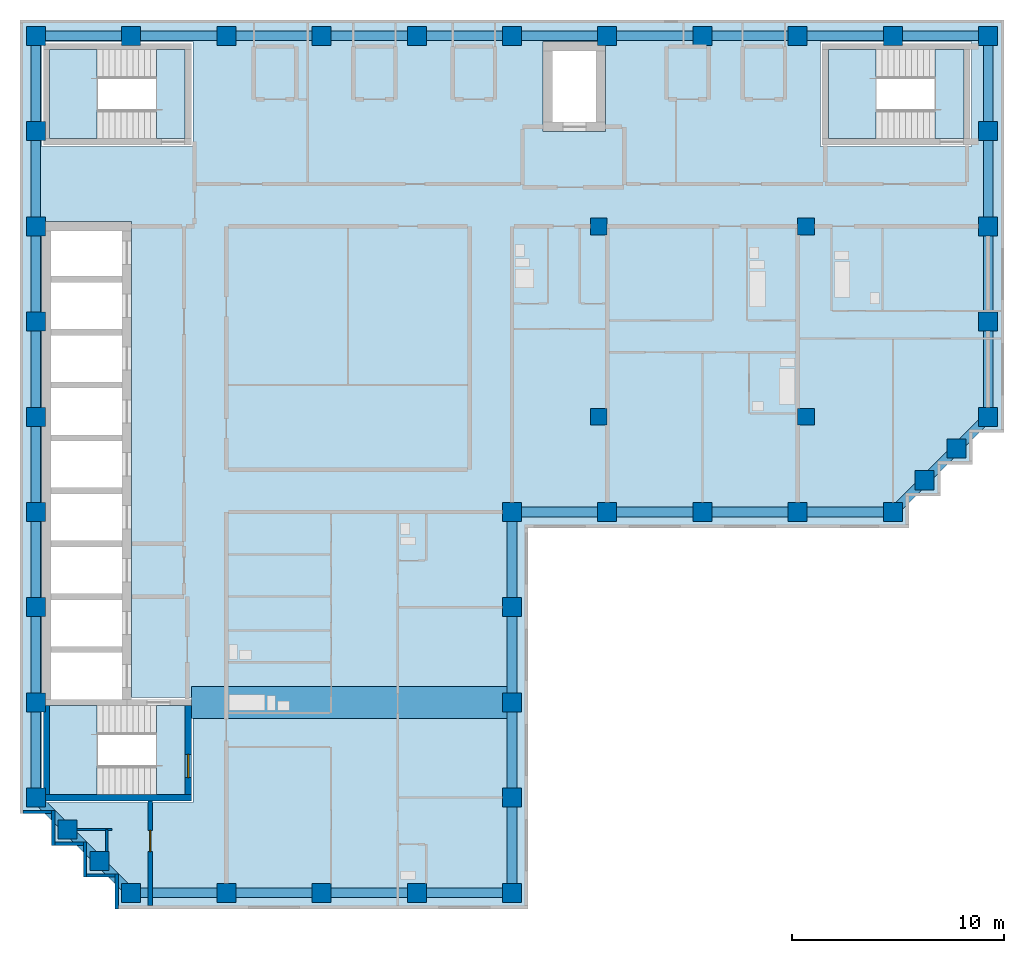
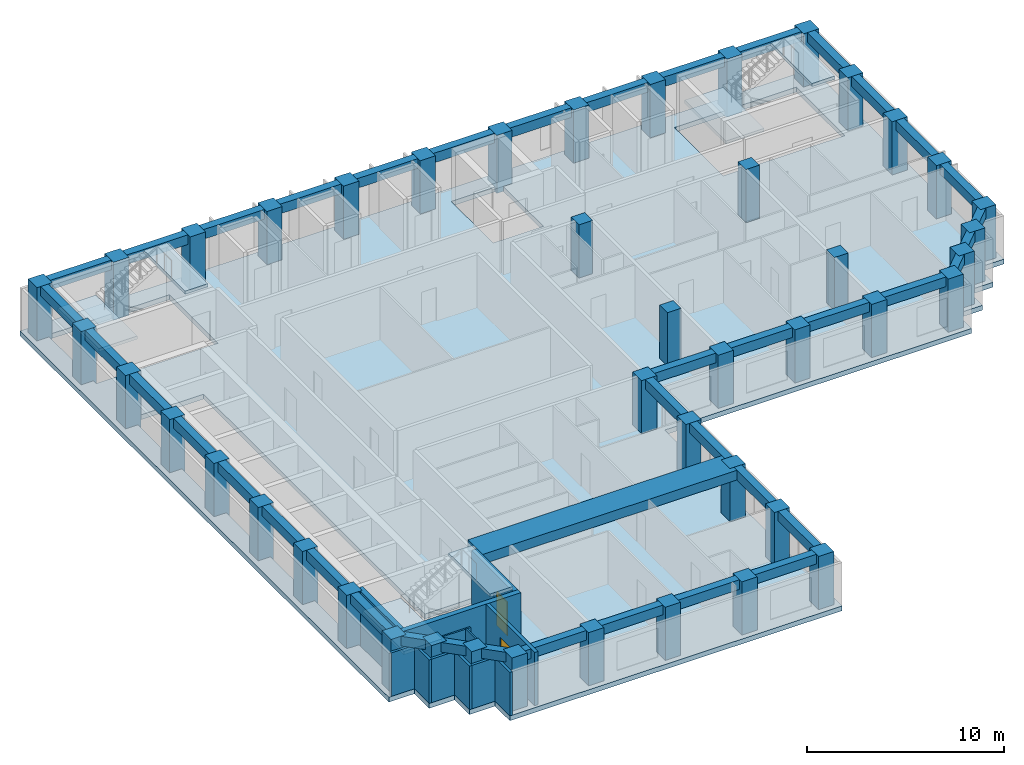
# One storey, part 1 of 8: 44 columns, 41 beams, 12 walls, 7 slabs, 2 doors, 2 openings, 3 elements without a shape of their own.
"""IFC4 building model written with IfcOpenShell, lengths in metres."""

from ifc_helpers import new_model, si_unit, direction, frame, frame_2d, origin, origin_2d, place, context, subcontext, project, spatial, polyline, rectangle, outline, extrude, material, layer, layer_set, material_profile, profile_set, type_object, element, fill, aggregate, save


model = new_model("IFC4")

# Units and contexts
model_context = context("Model", 3, precision=1e-05, world=origin(), true_north=direction((0.0, 1.0)))
body_context = subcontext(model_context, "Body", "Model", "MODEL_VIEW")
ifc_project = project(units=[si_unit("LENGTHUNIT", "METRE"), si_unit("AREAUNIT", "SQUARE_METRE"), si_unit("VOLUMEUNIT", "CUBIC_METRE"), si_unit("PLANEANGLEUNIT", "RADIAN"), si_unit("MASSUNIT", "GRAM", prefix="KILO")], contexts=[model_context])

# Site, building, storey
site_placement = place(None, origin())
site = spatial("IfcSite", under=ifc_project, at=site_placement, CompositionType="ELEMENT")
building_placement = place(site_placement, origin())
building = spatial("IfcBuilding", under=site, at=building_placement, Name="Firuza Court", CompositionType="ELEMENT")
storey_placement = place(building_placement, frame((0.0, 0.0, 251.0)))
storey = spatial("IfcBuildingStorey", under=building, at=storey_placement, Name="L65", CompositionType="ELEMENT", Elevation=251.0)

# Columns
ifc_material_1 = material(Name="Concrete C60/75", Category="concrete")
ifc_material_profile_1 = material_profile(ifc_material_1, rectangle(XDim=0.800048828125, YDim=0.800048828125, at=origin_2d()), Name="RC 800x800")
ifc_profile_set_1 = profile_set([ifc_material_profile_1], Name="Concrete C60/75")
column_type_1 = type_object("IfcColumnType", Name="Damper support column RC 800x800 C60/75", PredefinedType="COLUMN", material=ifc_profile_set_1)
for number, where, z_axis, x_axis, name in (
    (1, (26.60009765625, 40.5, -0.300048828125), (0.0, 0.0, 1.0), (1.0, 0.0, 0.0), "Damper support column L65"),
    (2, (36.39990234375, 40.5, -0.300048828125), (0.0, 0.0, 1.0), (1.0, 0.0, 0.0), "Damper support column L65"),
    (3, (26.60009765625, 49.5, -0.300048828125), (0.0, 0.0, 1.0), (1.0, 0.0, 0.0), "Damper support column L65"),
    (4, (36.39990234375, 49.5, -0.300048828125), (0.0, 0.0, 1.0), (1.0, 0.0, 0.0), "Damper support column L65"),
):
    element("IfcColumn", number, at=place(storey_placement, frame(where, z_axis=z_axis, x_axis=x_axis)), inside=storey, type_object=column_type_1, Name=name, PredefinedType="COLUMN", context=body_context, shape_type="SweptSolid", body=[
        extrude(rectangle(XDim=0.800048828125, YDim=0.800048828125, at=origin_2d()), origin(), (0.0, 0.0, 1.0), 3.60009765625),
    ])
ifc_material_2 = material(Name="Concrete C50/60", Category="concrete")
ifc_material_profile_2 = material_profile(ifc_material_2, rectangle(XDim=0.89990234375, YDim=0.89990234375, at=origin_2d()), Name="RC 900x900")
ifc_profile_set_2 = profile_set([ifc_material_profile_2], Name="Concrete C50/60")
column_type_2 = type_object("IfcColumnType", Name="Tube column RC 900x900 C50/60", PredefinedType="COLUMN", material=ifc_profile_set_2)
for number, where, z_axis, x_axis, name in (
    (5, (4.5, 18.0, -0.300048828125), (0.0, 0.0, 1.0), (1.0, 0.0, 0.0), "Column C-2H L65"),
    (6, (9.0, 18.0, -0.300048828125), (0.0, 0.0, 1.0), (1.0, 0.0, 0.0), "Column C-3H L65"),
    (7, (13.5, 18.0, -0.300048828125), (0.0, 0.0, 1.0), (1.0, 0.0, 0.0), "Column C-4H L65"),
    (8, (18.0, 18.0, -0.300048828125), (0.0, 0.0, 1.0), (1.0, 0.0, 0.0), "Column C-5H L65"),
    (9, (22.5, 18.0, -0.300048828125), (0.0, 0.0, 1.0), (1.0, 0.0, 0.0), "Column C-6H L65"),
    (10, (3.0, 19.5, -0.300048828125), (0.0, 0.0, 1.0), (1.0, 0.0, 0.0), "Column C-SA1 L65"),
    (11, (1.5, 21.0, -0.300048828125), (0.0, 0.0, 1.0), (1.0, 0.0, 0.0), "Column C-SA2 L65"),
    (12, (0.0, 22.5, -0.300048828125), (0.0, 0.0, 1.0), (1.0, 0.0, 0.0), "Column C-1J L65"),
    (13, (22.5, 22.5, -0.300048828125), (0.0, 0.0, 1.0), (1.0, 0.0, 0.0), "Column C-6J L65"),
    (14, (0.0, 27.0, -0.300048828125), (0.0, 0.0, 1.0), (1.0, 0.0, 0.0), "Column C-1K L65"),
    (15, (22.5, 27.0, -0.300048828125), (0.0, 0.0, 1.0), (1.0, 0.0, 0.0), "Column C-6K L65"),
    (16, (0.0, 31.5, -0.300048828125), (0.0, 0.0, 1.0), (1.0, 0.0, 0.0), "Column C-1L L65"),
    (17, (22.5, 31.5, -0.300048828125), (0.0, 0.0, 1.0), (1.0, 0.0, 0.0), "Column C-6L L65"),
    (18, (0.0, 36.0, -0.300048828125), (0.0, 0.0, 1.0), (1.0, 0.0, 0.0), "Column C-1M L65"),
    (19, (22.5, 36.0, -0.300048828125), (0.0, 0.0, 1.0), (1.0, 0.0, 0.0), "Column C-6M L65"),
    (20, (27.0, 36.0, -0.300048828125), (0.0, 0.0, 1.0), (1.0, 0.0, 0.0), "Column C-7M L65"),
    (21, (31.5, 36.0, -0.300048828125), (0.0, 0.0, 1.0), (1.0, 0.0, 0.0), "Column C-8M L65"),
    (22, (36.0, 36.0, -0.300048828125), (0.0, 0.0, 1.0), (1.0, 0.0, 0.0), "Column C-9M L65"),
    (23, (40.5, 36.0, -0.300048828125), (0.0, 0.0, 1.0), (1.0, 0.0, 0.0), "Column C-10M L65"),
    (24, (42.0, 37.5, -0.300048828125), (0.0, 0.0, 1.0), (1.0, 0.0, 0.0), "Column C-SA3 L65"),
    (25, (43.5, 39.0, -0.300048828125), (0.0, 0.0, 1.0), (1.0, 0.0, 0.0), "Column C-SA4 L65"),
    (26, (0.0, 40.5, -0.300048828125), (0.0, 0.0, 1.0), (1.0, 0.0, 0.0), "Column C-1N L65"),
    (27, (45.0, 40.5, -0.300048828125), (0.0, 0.0, 1.0), (1.0, 0.0, 0.0), "Column C-11N L65"),
    (28, (0.0, 45.0, -0.300048828125), (0.0, 0.0, 1.0), (1.0, 0.0, 0.0), "Column C-1P L65"),
    (29, (45.0, 45.0, -0.300048828125), (0.0, 0.0, 1.0), (1.0, 0.0, 0.0), "Column C-11P L65"),
    (30, (0.0, 49.5, -0.300048828125), (0.0, 0.0, 1.0), (1.0, 0.0, 0.0), "Column C-1Q L65"),
    (31, (45.0, 49.5, -0.300048828125), (0.0, 0.0, 1.0), (1.0, 0.0, 0.0), "Column C-11Q L65"),
    (32, (0.0, 54.0, -0.300048828125), (0.0, 0.0, 1.0), (1.0, 0.0, 0.0), "Column C-1R L65"),
    (33, (45.0, 54.0, -0.300048828125), (0.0, 0.0, 1.0), (1.0, 0.0, 0.0), "Column C-11R L65"),
    (34, (0.0, 58.5, -0.300048828125), (0.0, 0.0, 1.0), (1.0, 0.0, 0.0), "Column C-1S L65"),
    (35, (4.5, 58.5, -0.300048828125), (0.0, 0.0, 1.0), (1.0, 0.0, 0.0), "Column C-2S L65"),
    (36, (9.0, 58.5, -0.300048828125), (0.0, 0.0, 1.0), (1.0, 0.0, 0.0), "Column C-3S L65"),
    (37, (13.5, 58.5, -0.300048828125), (0.0, 0.0, 1.0), (1.0, 0.0, 0.0), "Column C-4S L65"),
    (38, (18.0, 58.5, -0.300048828125), (0.0, 0.0, 1.0), (1.0, 0.0, 0.0), "Column C-5S L65"),
    (39, (22.5, 58.5, -0.300048828125), (0.0, 0.0, 1.0), (1.0, 0.0, 0.0), "Column C-6S L65"),
    (40, (27.0, 58.5, -0.300048828125), (0.0, 0.0, 1.0), (1.0, 0.0, 0.0), "Column C-7S L65"),
    (41, (31.5, 58.5, -0.300048828125), (0.0, 0.0, 1.0), (1.0, 0.0, 0.0), "Column C-8S L65"),
    (42, (36.0, 58.5, -0.300048828125), (0.0, 0.0, 1.0), (1.0, 0.0, 0.0), "Column C-9S L65"),
    (43, (40.5, 58.5, -0.300048828125), (0.0, 0.0, 1.0), (1.0, 0.0, 0.0), "Column C-10S L65"),
    (44, (45.0, 58.5, -0.300048828125), (0.0, 0.0, 1.0), (1.0, 0.0, 0.0), "Column C-11S L65"),
):
    element("IfcColumn", number, at=place(storey_placement, frame(where, z_axis=z_axis, x_axis=x_axis)), inside=storey, type_object=column_type_2, Name=name, PredefinedType="COLUMN", context=body_context, shape_type="SweptSolid", body=[
        extrude(rectangle(XDim=0.89990234375, YDim=0.89990234375, at=origin_2d()), origin(), (0.0, 0.0, 1.0), 3.60009765625),
    ])

# Beams
ifc_material_3 = material(Name="Concrete C40/50", Category="concrete")
ifc_material_profile_3 = material_profile(ifc_material_3, rectangle(XDim=1.5, YDim=0.60009765625, at=origin_2d()), Name="RC 1500x600")
ifc_profile_set_3 = profile_set([ifc_material_profile_3], Name="Concrete C40/50")
beam_type_1 = type_object("IfcBeamType", Name="Band beam RC 1500x600 C40/50", PredefinedType="BEAM", material=ifc_profile_set_3)
beam_1_placement = place(storey_placement, frame((22.5, 27.0, 3.0), z_axis=(-1.0, 0.0, 0.0), x_axis=(0.0, -1.0, 0.0)))
element("IfcBeam", 45, at=beam_1_placement, inside=storey, type_object=beam_type_1, Name="Band beam FB3 level L66", PredefinedType="BEAM", context=body_context, shape_type="SweptSolid", body=[
    extrude(rectangle(XDim=1.5, YDim=0.60009765625, at=origin_2d()), origin(), (0.0, 0.0, 1.0), 15.14990234375),
])
ifc_material_4 = material(Name="Concrete C40/50", Category="concrete")
ifc_material_profile_4 = material_profile(ifc_material_4, rectangle(XDim=0.449951171875, YDim=0.60009765625, at=origin_2d()), Name="RC 450x600")
ifc_profile_set_4 = profile_set([ifc_material_profile_4], Name="Concrete C40/50")
beam_type_2 = type_object("IfcBeamType", Name="Spandrel beam RC 450x600 C40/50", PredefinedType="BEAM", material=ifc_profile_set_4)
beam_2_placement = place(storey_placement, frame((0.0, 22.5, 3.0), z_axis=(0.707106781187, -0.707106781187, 0.0), x_axis=(0.707106781187, 0.707106781187, 0.0)))
element("IfcBeam", 46, at=beam_2_placement, inside=storey, type_object=beam_type_2, Name="Spandrel beam SP15 level L66", PredefinedType="BEAM", context=body_context, shape_type="SweptSolid", body=[
    extrude(rectangle(XDim=0.449951171875, YDim=0.60009765625, at=origin_2d()), origin(), (0.0, 0.0, 1.0), 2.121337890625),
])
for number, where, z_axis, x_axis, name in (
    (47, (0.0, 27.0, 3.0), (0.0, -1.0, 0.0), (1.0, 0.0, 0.0), "Spandrel beam SP15 level L66"),
    (48, (0.0, 31.5, 3.0), (0.0, -1.0, 0.0), (1.0, 0.0, 0.0), "Spandrel beam SP15 level L66"),
    (49, (0.0, 36.0, 3.0), (0.0, -1.0, 0.0), (1.0, 0.0, 0.0), "Spandrel beam SP15 level L66"),
    (50, (0.0, 40.5, 3.0), (0.0, -1.0, 0.0), (1.0, 0.0, 0.0), "Spandrel beam SP15 level L66"),
    (51, (0.0, 45.0, 3.0), (0.0, -1.0, 0.0), (1.0, 0.0, 0.0), "Spandrel beam SP15 level L66"),
    (52, (0.0, 49.5, 3.0), (0.0, -1.0, 0.0), (1.0, 0.0, 0.0), "Spandrel beam SP15 level L66"),
    (53, (0.0, 54.0, 3.0), (0.0, -1.0, 0.0), (1.0, 0.0, 0.0), "Spandrel beam SP15 level L66"),
    (54, (0.0, 58.5, 3.0), (0.0, -1.0, 0.0), (1.0, 0.0, 0.0), "Spandrel beam SP15 level L66"),
):
    element("IfcBeam", number, at=place(storey_placement, frame(where, z_axis=z_axis, x_axis=x_axis)), inside=storey, type_object=beam_type_2, Name=name, PredefinedType="BEAM", context=body_context, shape_type="SweptSolid", body=[
        extrude(rectangle(XDim=0.449951171875, YDim=0.60009765625, at=origin_2d()), origin(), (0.0, 0.0, 1.0), 4.5),
    ])
for number, where, z_axis, x_axis, name in (
    (55, (1.5, 21.0, 3.0), (0.707106781187, -0.707106781187, 0.0), (0.707106781187, 0.707106781187, 0.0), "Spandrel beam SP15 level L66"),
    (56, (3.0, 19.5, 3.0), (0.707106781187, -0.707106781187, 0.0), (0.707106781187, 0.707106781187, 0.0), "Spandrel beam SP15 level L66"),
):
    element("IfcBeam", number, at=place(storey_placement, frame(where, z_axis=z_axis, x_axis=x_axis)), inside=storey, type_object=beam_type_2, Name=name, PredefinedType="BEAM", context=body_context, shape_type="SweptSolid", body=[
        extrude(rectangle(XDim=0.449951171875, YDim=0.60009765625, at=origin_2d()), origin(), (0.0, 0.0, 1.0), 2.121337890625),
    ])
for number, where, z_axis, x_axis, name in (
    (57, (4.5, 18.0, 3.0), (1.0, 0.0, 0.0), (0.0, 1.0, 0.0), "Spandrel beam SP15 level L66"),
    (58, (4.5, 58.5, 3.0), (-1.0, 0.0, 0.0), (0.0, -1.0, 0.0), "Spandrel beam SP15 level L66"),
    (59, (9.0, 18.0, 3.0), (1.0, 0.0, 0.0), (0.0, 1.0, 0.0), "Spandrel beam SP15 level L66"),
    (60, (9.0, 58.5, 3.0), (-1.0, 0.0, 0.0), (0.0, -1.0, 0.0), "Spandrel beam SP15 level L66"),
    (61, (13.5, 18.0, 3.0), (1.0, 0.0, 0.0), (0.0, 1.0, 0.0), "Spandrel beam SP15 level L66"),
    (62, (13.5, 58.5, 3.0), (-1.0, 0.0, 0.0), (0.0, -1.0, 0.0), "Spandrel beam SP15 level L66"),
    (63, (18.0, 18.0, 3.0), (1.0, 0.0, 0.0), (0.0, 1.0, 0.0), "Spandrel beam SP15 level L66"),
    (64, (18.0, 58.5, 3.0), (-1.0, 0.0, 0.0), (0.0, -1.0, 0.0), "Spandrel beam SP15 level L66"),
    (65, (22.5, 18.0, 3.0), (0.0, 1.0, 0.0), (-1.0, 0.0, 0.0), "Spandrel beam SP15 level L66"),
    (66, (22.5, 22.5, 3.0), (0.0, 1.0, 0.0), (-1.0, 0.0, 0.0), "Spandrel beam SP15 level L66"),
    (67, (22.5, 27.0, 3.0), (0.0, 1.0, 0.0), (-1.0, 0.0, 0.0), "Spandrel beam SP15 level L66"),
    (68, (22.5, 31.5, 3.0), (0.0, 1.0, 0.0), (-1.0, 0.0, 0.0), "Spandrel beam SP15 level L66"),
    (69, (22.5, 36.0, 3.0), (1.0, 0.0, 0.0), (0.0, 1.0, 0.0), "Spandrel beam SP15 level L66"),
    (70, (22.5, 58.5, 3.0), (-1.0, 0.0, 0.0), (0.0, -1.0, 0.0), "Spandrel beam SP15 level L66"),
    (71, (27.0, 36.0, 3.0), (1.0, 0.0, 0.0), (0.0, 1.0, 0.0), "Spandrel beam SP15 level L66"),
    (72, (27.0, 58.5, 3.0), (-1.0, 0.0, 0.0), (0.0, -1.0, 0.0), "Spandrel beam SP15 level L66"),
    (73, (31.5, 36.0, 3.0), (1.0, 0.0, 0.0), (0.0, 1.0, 0.0), "Spandrel beam SP15 level L66"),
    (74, (31.5, 58.5, 3.0), (-1.0, 0.0, 0.0), (0.0, -1.0, 0.0), "Spandrel beam SP15 level L66"),
    (75, (36.0, 36.0, 3.0), (1.0, 0.0, 0.0), (0.0, 1.0, 0.0), "Spandrel beam SP15 level L66"),
    (76, (36.0, 58.5, 3.0), (-1.0, 0.0, 0.0), (0.0, -1.0, 0.0), "Spandrel beam SP15 level L66"),
):
    element("IfcBeam", number, at=place(storey_placement, frame(where, z_axis=z_axis, x_axis=x_axis)), inside=storey, type_object=beam_type_2, Name=name, PredefinedType="BEAM", context=body_context, shape_type="SweptSolid", body=[
        extrude(rectangle(XDim=0.449951171875, YDim=0.60009765625, at=origin_2d()), origin(), (0.0, 0.0, 1.0), 4.5),
    ])
beam_3_placement = place(storey_placement, frame((40.5, 36.0, 3.0), z_axis=(0.707106781187, 0.707106781187, 0.0), x_axis=(-0.707106781187, 0.707106781187, 0.0)))
element("IfcBeam", 77, at=beam_3_placement, inside=storey, type_object=beam_type_2, Name="Spandrel beam SP15 level L66", PredefinedType="BEAM", context=body_context, shape_type="SweptSolid", body=[
    extrude(rectangle(XDim=0.449951171875, YDim=0.60009765625, at=origin_2d()), origin(), (0.0, 0.0, 1.0), 2.121337890625),
])
beam_4_placement = place(storey_placement, frame((40.5, 58.5, 3.0), z_axis=(-1.0, 0.0, 0.0), x_axis=(0.0, -1.0, 0.0)))
element("IfcBeam", 78, at=beam_4_placement, inside=storey, type_object=beam_type_2, Name="Spandrel beam SP15 level L66", PredefinedType="BEAM", context=body_context, shape_type="SweptSolid", body=[
    extrude(rectangle(XDim=0.449951171875, YDim=0.60009765625, at=origin_2d()), origin(), (0.0, 0.0, 1.0), 4.5),
])
for number, where, z_axis, x_axis, name in (
    (79, (42.0, 37.5, 3.0), (0.707106781187, 0.707106781187, 0.0), (-0.707106781187, 0.707106781187, 0.0), "Spandrel beam SP15 level L66"),
    (80, (43.5, 39.0, 3.0), (0.707106781187, 0.707106781187, 0.0), (-0.707106781187, 0.707106781187, 0.0), "Spandrel beam SP15 level L66"),
):
    element("IfcBeam", number, at=place(storey_placement, frame(where, z_axis=z_axis, x_axis=x_axis)), inside=storey, type_object=beam_type_2, Name=name, PredefinedType="BEAM", context=body_context, shape_type="SweptSolid", body=[
        extrude(rectangle(XDim=0.449951171875, YDim=0.60009765625, at=origin_2d()), origin(), (0.0, 0.0, 1.0), 2.121337890625),
    ])
for number, where, z_axis, x_axis, name in (
    (81, (45.0, 40.5, 3.0), (0.0, 1.0, 0.0), (-1.0, 0.0, 0.0), "Spandrel beam SP15 level L66"),
    (82, (45.0, 45.0, 3.0), (0.0, 1.0, 0.0), (-1.0, 0.0, 0.0), "Spandrel beam SP15 level L66"),
    (83, (45.0, 49.5, 3.0), (0.0, 1.0, 0.0), (-1.0, 0.0, 0.0), "Spandrel beam SP15 level L66"),
    (84, (45.0, 54.0, 3.0), (0.0, 1.0, 0.0), (-1.0, 0.0, 0.0), "Spandrel beam SP15 level L66"),
    (85, (45.0, 58.5, 3.0), (-1.0, 0.0, 0.0), (0.0, -1.0, 0.0), "Spandrel beam SP15 level L66"),
):
    element("IfcBeam", number, at=place(storey_placement, frame(where, z_axis=z_axis, x_axis=x_axis)), inside=storey, type_object=beam_type_2, Name=name, PredefinedType="BEAM", context=body_context, shape_type="SweptSolid", body=[
        extrude(rectangle(XDim=0.449951171875, YDim=0.60009765625, at=origin_2d()), origin(), (0.0, 0.0, 1.0), 4.5),
    ])

# Slab
ifc_material_5 = material(Name="Concrete C40/50", Category="concrete")
ifc_layer_1 = layer(ifc_material_5, 0.300048828125)
ifc_layer_set_1 = layer_set([ifc_layer_1], Name="Concrete C40/50")
slab_type_1 = type_object("IfcSlabType", Name="Floor slab 300 C40/50", PredefinedType="FLOOR", material=ifc_layer_set_1)
slab_1_placement = place(storey_placement, frame((0.0, 0.0, -0.300048828125)))
element("IfcSlab", 86, at=slab_1_placement, inside=storey, type_object=slab_type_1, Name="Floor slab L65", PredefinedType="FLOOR", context=body_context, shape_type="SweptSolid", body=[
    extrude(outline(polyline([(-0.75, 59.25), (45.75, 59.25), (45.75, 39.75), (44.25, 39.75), (44.25, 38.25), (42.75, 38.25), (42.75, 36.75), (41.25, 36.75), (41.25, 35.25), (23.25, 35.25), (23.25, 17.25), (3.75, 17.25), (3.75, 18.75), (2.25, 18.75), (2.25, 20.25), (0.75, 20.25), (0.75, 21.75), (-0.75, 21.75), (-0.75, 59.25)]), holes=[polyline([(0.27490234375, 34.27490234375), (0.27490234375, 32.22509765625), (0.27490234375, 31.77490234375), (0.27490234375, 29.72509765625), (0.27490234375, 29.27490234375), (0.27490234375, 27.22509765625), (0.27490234375, 26.77490234375), (0.27490234375, 22.27490234375), (7.425048828125, 22.27490234375), (7.425048828125, 27.22509765625), (4.52490234375, 27.22509765625), (4.52490234375, 29.27490234375), (4.52490234375, 29.72509765625), (4.52490234375, 31.77490234375), (4.52490234375, 32.22509765625), (4.52490234375, 34.27490234375), (4.52490234375, 34.72509765625), (4.52490234375, 36.77490234375), (4.52490234375, 37.22509765625), (4.52490234375, 39.27490234375), (4.52490234375, 39.72509765625), (4.52490234375, 41.77490234375), (4.52490234375, 42.22509765625), (4.52490234375, 44.27490234375), (4.52490234375, 44.72509765625), (4.52490234375, 46.77490234375), (4.52490234375, 47.22509765625), (4.52490234375, 49.72509765625), (0.27490234375, 49.72509765625), (0.27490234375, 47.22509765625), (0.27490234375, 46.77490234375), (0.27490234375, 44.72509765625), (0.27490234375, 44.27490234375), (0.27490234375, 42.22509765625), (0.27490234375, 41.77490234375), (0.27490234375, 39.72509765625), (0.27490234375, 39.27490234375), (0.27490234375, 37.22509765625), (0.27490234375, 36.77490234375), (0.27490234375, 34.72509765625), (0.27490234375, 34.27490234375)]), polyline([(7.425048828125, 58.22509765625), (0.27490234375, 58.22509765625), (0.27490234375, 53.27490234375), (7.425048828125, 53.27490234375), (7.425048828125, 58.22509765625)]), polyline([(44.22509765625, 58.22509765625), (37.074951171875, 58.22509765625), (37.074951171875, 53.27490234375), (44.22509765625, 53.27490234375), (44.22509765625, 58.22509765625)]), polyline([(26.925048828125, 58.22509765625), (23.97509765625, 58.22509765625), (23.97509765625, 53.97509765625), (26.925048828125, 53.97509765625), (26.925048828125, 58.22509765625)])]), origin(), (0.0, 0.0, 1.0), 0.300048828125),
])

# Stair, slabs
ifc_material_6 = material(Name="Concrete C40/50 precast", Category="concrete")
stair_type = type_object("IfcStairType", Name="Stair 1350 x 3600 2 flights", PredefinedType="HALF_TURN_STAIR", material=ifc_material_6)
stair_1_placement = place(storey_placement, origin())
stair_1 = element("IfcStair", 87, at=stair_1_placement, inside=storey, type_object=stair_type, Name="Stair 1 L65", PredefinedType="HALF_TURN_STAIR")
ifc_material_7 = material(Name="Concrete C40/50 precast", Category="concrete")
ifc_layer_2 = layer(ifc_material_7, 0.199951171875)
ifc_layer_set_2 = layer_set([ifc_layer_2], Name="Concrete C40/50 precast")
slab_type_2 = type_object("IfcSlabType", Name="Stair landing 200", PredefinedType="LANDING", material=ifc_layer_set_2)
slab_2_placement = place(storey_placement, frame((0.0, 0.0, 1.60009765625)))
slab_2 = element("IfcSlab", 88, at=slab_2_placement, type_object=slab_type_2, Name="S1 landing 1", PredefinedType="LANDING", context=body_context, shape_type="SweptSolid", body=[
    extrude(outline(polyline([(39.699951171875, 53.64990234375), (39.699951171875, 57.85009765625), (37.449951171875, 57.85009765625), (37.449951171875, 53.64990234375), (39.699951171875, 53.64990234375)])), origin(), (0.0, 0.0, 1.0), 0.199951171875),
])
slab_3_placement = place(storey_placement, frame((0.0, 0.0, 3.39990234375)))
slab_3 = element("IfcSlab", 89, at=slab_3_placement, type_object=slab_type_2, Name="S1 landing 2", PredefinedType="LANDING", context=body_context, shape_type="SweptSolid", body=[
    extrude(outline(polyline([(43.85009765625, 53.64990234375), (43.85009765625, 57.85009765625), (42.5, 57.85009765625), (42.5, 53.64990234375), (43.85009765625, 53.64990234375)])), origin(), (0.0, 0.0, 1.0), 0.2001953125),
])
aggregate(stair_1, [slab_2, slab_3])

stair_2_placement = place(storey_placement, origin())
stair_2 = element("IfcStair", 90, at=stair_2_placement, inside=storey, type_object=stair_type, Name="Stair 2 L65", PredefinedType="HALF_TURN_STAIR")
slab_4_placement = place(storey_placement, frame((0.0, 0.0, 1.60009765625)))
slab_4 = element("IfcSlab", 91, at=slab_4_placement, type_object=slab_type_2, Name="S2 landing 1", PredefinedType="LANDING", context=body_context, shape_type="SweptSolid", body=[
    extrude(outline(polyline([(2.89990234375, 22.64990234375), (2.89990234375, 26.85009765625), (0.64990234375, 26.85009765625), (0.64990234375, 22.64990234375), (2.89990234375, 22.64990234375)])), origin(), (0.0, 0.0, 1.0), 0.199951171875),
])
slab_5_placement = place(storey_placement, frame((0.0, 0.0, 3.39990234375)))
slab_5 = element("IfcSlab", 92, at=slab_5_placement, type_object=slab_type_2, Name="S2 landing 2", PredefinedType="LANDING", context=body_context, shape_type="SweptSolid", body=[
    extrude(outline(polyline([(7.050048828125, 22.64990234375), (7.050048828125, 26.85009765625), (5.699951171875, 26.85009765625), (5.699951171875, 22.64990234375), (7.050048828125, 22.64990234375)])), origin(), (0.0, 0.0, 1.0), 0.2001953125),
])
aggregate(stair_2, [slab_4, slab_5])

stair_3_placement = place(storey_placement, origin())
stair_3 = element("IfcStair", 93, at=stair_3_placement, inside=storey, type_object=stair_type, Name="Stair 3 L65", PredefinedType="HALF_TURN_STAIR")
slab_6_placement = place(storey_placement, frame((0.0, 0.0, 1.60009765625)))
slab_6 = element("IfcSlab", 94, at=slab_6_placement, type_object=slab_type_2, Name="S3 landing 1", PredefinedType="LANDING", context=body_context, shape_type="SweptSolid", body=[
    extrude(outline(polyline([(2.89990234375, 53.64990234375), (2.89990234375, 57.85009765625), (0.64990234375, 57.85009765625), (0.64990234375, 53.64990234375), (2.89990234375, 53.64990234375)])), origin(), (0.0, 0.0, 1.0), 0.199951171875),
])
slab_7_placement = place(storey_placement, frame((0.0, 0.0, 3.39990234375)))
slab_7 = element("IfcSlab", 95, at=slab_7_placement, type_object=slab_type_2, Name="S3 landing 2", PredefinedType="LANDING", context=body_context, shape_type="SweptSolid", body=[
    extrude(outline(polyline([(7.050048828125, 53.64990234375), (7.050048828125, 57.85009765625), (5.699951171875, 57.85009765625), (5.699951171875, 53.64990234375), (7.050048828125, 53.64990234375)])), origin(), (0.0, 0.0, 1.0), 0.2001953125),
])
aggregate(stair_3, [slab_6, slab_7])

# Walls
ifc_material_8 = material(Name="Concrete C50/60", Category="concrete")
ifc_layer_3 = layer(ifc_material_8, 0.300048828125)
ifc_layer_set_3 = layer_set([ifc_layer_3], Name="Concrete C50/60")
wall_type_1 = type_object("IfcWallType", Name="Core wall 300 C50/60", PredefinedType="SHEAR", material=ifc_layer_set_3)
wall_1_placement = place(storey_placement, frame((0.35009765625, 22.5, -0.300048828125), z_axis=(0.0, 0.0, 1.0), x_axis=(1.0, 0.0, 0.0)))
element("IfcWall", 96, at=wall_1_placement, inside=storey, type_object=wall_type_1, Name="Core wall stair L65", PredefinedType="SHEAR", context=body_context, shape_type="SweptSolid", body=[
    extrude(rectangle(XDim=7.0, YDim=0.300048828125, at=frame_2d((3.5, 0.0))), origin(), (0.0, 0.0, 1.0), 3.60009765625),
])
wall_2_placement = place(storey_placement, frame((0.5, 22.64990234375, -0.300048828125), z_axis=(0.0, 0.0, 1.0), x_axis=(0.0, 1.0, 0.0)))
element("IfcWall", 97, at=wall_2_placement, inside=storey, type_object=wall_type_1, Name="Core wall stair L65", PredefinedType="SHEAR", context=body_context, shape_type="SweptSolid", body=[
    extrude(rectangle(XDim=4.2001953125, YDim=0.300048828125, at=frame_2d((2.10009765625, 0.0))), origin(), (0.0, 0.0, 1.0), 3.60009765625),
])

# Wall, opening, door
wall_3_placement = place(storey_placement, frame((7.199951171875, 22.64990234375, -0.300048828125), z_axis=(0.0, 0.0, 1.0), x_axis=(0.0, 1.0, 0.0)))
wall_3 = element("IfcWall", 98, at=wall_3_placement, inside=storey, type_object=wall_type_1, Name="Core wall stair L65", PredefinedType="SHEAR", context=body_context, shape_type="SweptSolid", body=[
    extrude(rectangle(XDim=4.2001953125, YDim=0.300048828125, at=frame_2d((2.10009765625, 0.0))), origin(), (0.0, 0.0, 1.0), 3.60009765625),
])
opening_1_placement = place(wall_3_placement, frame((0.800048828125, 0.0, 0.300048828125)))
opening_1 = element("IfcOpeningElement", 99, at=opening_1_placement, cuts=wall_3, Name="Opening D65010", PredefinedType="OPENING", context=body_context, shape_type="SweptSolid", body=[
    extrude(rectangle(XDim=1.10009765625, YDim=2.10009765625, at=frame_2d((0.550048828125, 1.050048828125))), frame((0.0, 0.162109375, 0.0), z_axis=(0.0, -1.0, 0.0), x_axis=(1.0, 0.0, 0.0)), (0.0, 0.0, 1.0), 0.323974609375),
])
ifc_material_9 = material(Name="Timber door leaf in hardwood frame", Category="wood")
door_type_1 = type_object("IfcDoorType", Name="Stair door 1100", OperationType="SINGLE_SWING_LEFT", PredefinedType="DOOR", material=ifc_material_9)
door_1_placement = place(opening_1_placement, origin())
door_1 = element("IfcDoor", 100, at=door_1_placement, inside=storey, type_object=door_type_1, Name="Stair door S2", OperationType="SINGLE_SWING_LEFT", OverallHeight=2.10009765625, OverallWidth=1.10009765625, PredefinedType="DOOR", context=body_context, shape_type="SweptSolid", body=[
    extrude(rectangle(XDim=1.10009765625, YDim=2.10009765625, at=frame_2d((0.550048828125, 1.050048828125))), frame((0.0, 0.02490234375, 0.0), z_axis=(0.0, -1.0, 0.0), x_axis=(1.0, 0.0, 0.0)), (0.0, 0.0, 1.0), 0.050048828125),
])
fill(opening_1, door_1)

ifc_material_10 = material(Name="Blockwork, plastered both sides", Category="masonry")
ifc_layer_4 = layer(ifc_material_10, 0.199951171875)
ifc_layer_set_4 = layer_set([ifc_layer_4], Name="Blockwork, plastered both sides")
wall_type_2 = type_object("IfcWallType", Name="Corridor wall 200", PredefinedType="PARTITIONING", material=ifc_layer_set_4)
wall_4_placement = place(storey_placement, frame((5.39990234375, 17.39990234375, 0.0), z_axis=(0.0, 0.0, 1.0), x_axis=(0.0, 1.0, 0.0)))
wall_4 = element("IfcWall", 101, at=wall_4_placement, inside=storey, type_object=wall_type_2, Name="Corridor wall 200 L65", PredefinedType="PARTITIONING", context=body_context, shape_type="SweptSolid", body=[
    extrude(rectangle(XDim=4.9501953125, YDim=0.199951171875, at=frame_2d((2.47509765625, 0.0))), origin(), (0.0, 0.0, 1.0), 3.300048828125),
])
opening_2_placement = place(wall_4_placement, frame((2.550048828125, 0.0, 0.0)))
opening_2 = element("IfcOpeningElement", 102, at=opening_2_placement, cuts=wall_4, Name="Opening D65012", PredefinedType="OPENING", context=body_context, shape_type="SweptSolid", body=[
    extrude(rectangle(XDim=1.0, YDim=2.10009765625, at=frame_2d((0.5, 1.050048828125))), frame((0.0, 0.11181640625, 0.0), z_axis=(0.0, -1.0, 0.0), x_axis=(1.0, 0.0, 0.0)), (0.0, 0.0, 1.0), 0.223876953125),
])
ifc_material_11 = material(Name="Timber door leaf in hardwood frame", Category="wood")
door_type_2 = type_object("IfcDoorType", Name="Store door 1000", OperationType="SINGLE_SWING_LEFT", PredefinedType="DOOR", material=ifc_material_11)
door_2_placement = place(opening_2_placement, origin())
door_2 = element("IfcDoor", 103, at=door_2_placement, inside=storey, type_object=door_type_2, Name="Cleaner's store door", OperationType="SINGLE_SWING_RIGHT", OverallHeight=2.10009765625, OverallWidth=1.0, PredefinedType="DOOR", context=body_context, shape_type="SweptSolid", body=[
    extrude(rectangle(XDim=1.0, YDim=2.10009765625, at=frame_2d((0.5, 1.050048828125))), frame((0.0, 0.02490234375, 0.0), z_axis=(0.0, -1.0, 0.0), x_axis=(1.0, 0.0, 0.0)), (0.0, 0.0, 1.0), 0.050048828125),
])
fill(opening_2, door_2)

# Walls
ifc_material_12 = material(Name="Timber stud partition, plasterboard both sides", Category="wood")
ifc_layer_5 = layer(ifc_material_12, 0.10009765625)
ifc_layer_set_5 = layer_set([ifc_layer_5], Name="Timber stud partition, plasterboard both sides")
wall_type_3 = type_object("IfcWallType", Name="Partition wall 100", PredefinedType="PARTITIONING", material=ifc_layer_set_5)
wall_5_placement = place(storey_placement, frame((3.35009765625, 19.949951171875, 0.0), z_axis=(0.0, 0.0, 1.0), x_axis=(0.0, 1.0, 0.0)))
element("IfcWall", 104, at=wall_5_placement, inside=storey, type_object=wall_type_3, Name="Partition wall 100 L65", PredefinedType="PARTITIONING", context=body_context, shape_type="SweptSolid", body=[
    extrude(rectangle(XDim=1.050048828125, YDim=0.10009765625, at=frame_2d((0.52490234375, 0.0))), origin(), (0.0, 0.0, 1.0), 3.300048828125),
])
wall_6_placement = place(storey_placement, frame((1.949951171875, 21.0, 0.0), z_axis=(0.0, 0.0, 1.0), x_axis=(1.0, 0.0, 0.0)))
element("IfcWall", 105, at=wall_6_placement, inside=storey, type_object=wall_type_3, Name="Partition wall 100 L65", PredefinedType="PARTITIONING", context=body_context, shape_type="SweptSolid", body=[
    extrude(rectangle(XDim=1.650146484375, YDim=0.10009765625, at=frame_2d((0.8251953125, 0.0))), origin(), (0.0, 0.0, 1.0), 3.300048828125),
])
ifc_material_13 = material(Name="Ceramic tile", Category="ceramic")
ifc_layer_6 = layer(ifc_material_13, 0.02001953125)
ifc_material_14 = material(Name="Mineral wool insulation", Category="insulation")
ifc_layer_7 = layer(ifc_material_14, 0.050048828125)
ifc_layer_8 = layer(ifc_material_7, 0.080078125)
ifc_layer_set_6 = layer_set([ifc_layer_6, ifc_layer_7, ifc_layer_8], Name="Concrete C40/50 precast")
wall_type_4 = type_object("IfcWallType", Name="Precast cladding wall with turquoise TILE PANEL face 150", PredefinedType="STANDARD", material=ifc_layer_set_6)
wall_7_placement = place(storey_placement, frame((-0.60009765625, 21.824951171875, 0.0), z_axis=(0.0, 0.0, 1.0), x_axis=(1.0, 0.0, 0.0)))
element("IfcWall", 106, at=wall_7_placement, inside=storey, type_object=wall_type_4, Name="Facade wall L65 S", PredefinedType="STANDARD", context=body_context, shape_type="SweptSolid", body=[
    extrude(rectangle(XDim=1.35009765625, YDim=0.14990234375, at=frame_2d((0.675048828125, 0.0))), origin(), (0.0, 0.0, 1.0), 2.699951171875),
])
wall_8_placement = place(storey_placement, frame((0.824951171875, 21.89990234375, 0.0), z_axis=(0.0, 0.0, 1.0), x_axis=(0.0, -1.0, 0.0)))
element("IfcWall", 107, at=wall_8_placement, inside=storey, type_object=wall_type_4, Name="Facade wall L65 W", PredefinedType="STANDARD", context=body_context, shape_type="SweptSolid", body=[
    extrude(rectangle(XDim=1.64990234375, YDim=0.14990234375, at=frame_2d((0.824951171875, 0.0))), origin(), (0.0, 0.0, 1.0), 2.699951171875),
])
wall_9_placement = place(storey_placement, frame((0.89990234375, 20.324951171875, 0.0), z_axis=(0.0, 0.0, 1.0), x_axis=(1.0, 0.0, 0.0)))
element("IfcWall", 108, at=wall_9_placement, inside=storey, type_object=wall_type_4, Name="Facade wall L65 S", PredefinedType="STANDARD", context=body_context, shape_type="SweptSolid", body=[
    extrude(rectangle(XDim=1.35009765625, YDim=0.14990234375, at=frame_2d((0.675048828125, 0.0))), origin(), (0.0, 0.0, 1.0), 2.699951171875),
])
wall_10_placement = place(storey_placement, frame((2.324951171875, 20.39990234375, 0.0), z_axis=(0.0, 0.0, 1.0), x_axis=(0.0, -1.0, 0.0)))
element("IfcWall", 109, at=wall_10_placement, inside=storey, type_object=wall_type_4, Name="Facade wall L65 W", PredefinedType="STANDARD", context=body_context, shape_type="SweptSolid", body=[
    extrude(rectangle(XDim=1.64990234375, YDim=0.14990234375, at=frame_2d((0.824951171875, 0.0))), origin(), (0.0, 0.0, 1.0), 2.699951171875),
])
wall_11_placement = place(storey_placement, frame((2.39990234375, 18.824951171875, 0.0), z_axis=(0.0, 0.0, 1.0), x_axis=(1.0, 0.0, 0.0)))
element("IfcWall", 110, at=wall_11_placement, inside=storey, type_object=wall_type_4, Name="Facade wall L65 S", PredefinedType="STANDARD", context=body_context, shape_type="SweptSolid", body=[
    extrude(rectangle(XDim=1.35009765625, YDim=0.14990234375, at=frame_2d((0.675048828125, 0.0))), origin(), (0.0, 0.0, 1.0), 2.699951171875),
])
wall_12_placement = place(storey_placement, frame((3.824951171875, 18.89990234375, 0.0), z_axis=(0.0, 0.0, 1.0), x_axis=(0.0, -1.0, 0.0)))
element("IfcWall", 111, at=wall_12_placement, inside=storey, type_object=wall_type_4, Name="Facade wall L65 W", PredefinedType="STANDARD", context=body_context, shape_type="SweptSolid", body=[
    extrude(rectangle(XDim=1.64990234375, YDim=0.14990234375, at=frame_2d((0.824951171875, 0.0))), origin(), (0.0, 0.0, 1.0), 2.699951171875),
])

save(model, "model.ifc")
